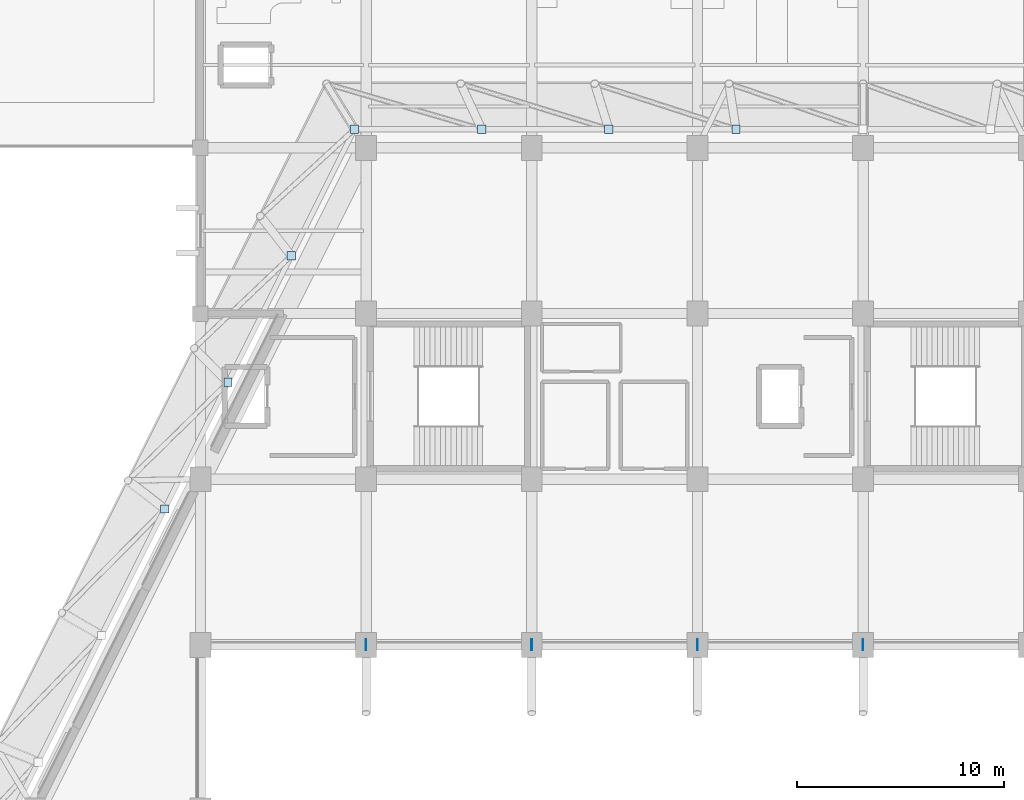
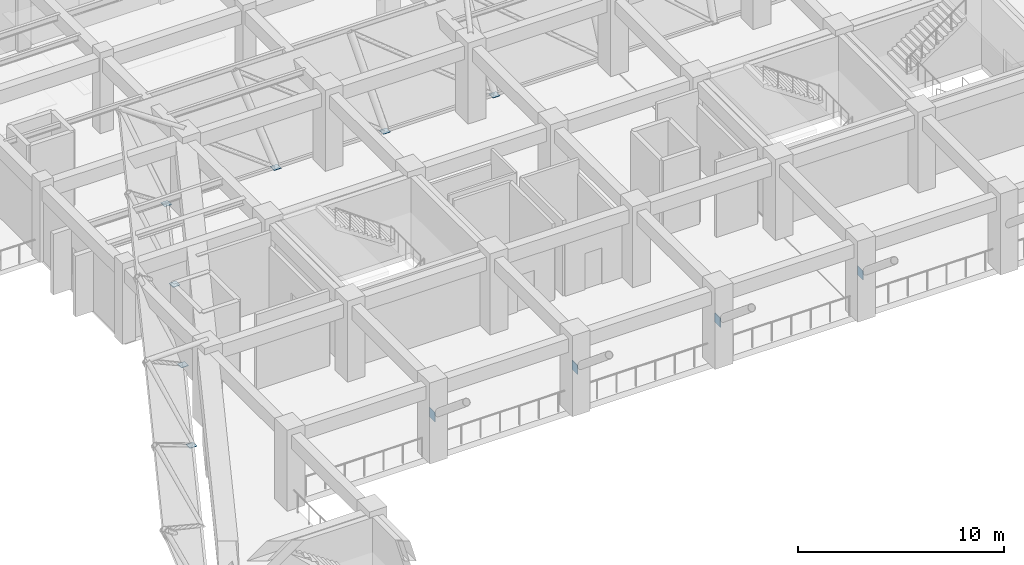
# One storey, part 25 of 46: 11 plates.
"""IFC4 building model written with IfcOpenShell, lengths in metres."""

import ifcopenshell
import ifcopenshell.guid

model = None  # the IFC model being written
_history = None  # IfcOwnerHistory: only IFC2X3 demands one
_inside = {}  # id of a spatial element -> (the spatial element, [elements in it])
_under = {}  # id of a project, library or spatial element -> (it, [spatial elements below it])
_declared = {}  # id of a project -> (the project, [libraries it declares])
_typed = {}  # id of a type object -> (the type object, [elements of that type])
_made_of = {}  # id of a material, layer set ... -> (it, [elements and type objects made of it])


def new_model(schema):
    """Start an empty IFC model of exactly this schema.

    Asked for "IFC4X3", IfcOpenShell would pick the latest addendum, in which some entities
    have other attributes; the version numbers below select the first issue.
    IFC2X3 requires an IfcOwnerHistory on every rooted entity: one is made here for all.
    """
    global model, _history
    if schema == "IFC4X3":
        model = ifcopenshell.file(schema_version=(4, 3, 0, 0))
    else:
        model = ifcopenshell.file(schema=schema)
    _inside.clear()
    _under.clear()
    _declared.clear()
    _typed.clear()
    _made_of.clear()
    _history = None
    if model.schema == "IFC2X3":
        org = make("IfcOrganization", Name="unknown")
        user = make(
            "IfcPersonAndOrganization",
            ThePerson=make("IfcPerson", FamilyName="unknown"),
            TheOrganization=org,
        )
        app = make(
            "IfcApplication",
            ApplicationDeveloper=org,
            Version="unknown",
            ApplicationFullName="unknown",
            ApplicationIdentifier="unknown",
        )
        _history = make(
            "IfcOwnerHistory",
            OwningUser=user,
            OwningApplication=app,
            ChangeAction="ADDED",
            CreationDate=0,
        )
    return model


def make(cls, **values):
    """One entity of the class cls with the attributes given. An attribute that is None is left unset."""
    return model.create_entity(
        cls, **{name: value for name, value in values.items() if value is not None}
    )


def rooted(cls, **values):
    """An entity with a GlobalId (a new one), such as an element, a storey or a relation."""
    return make(cls, GlobalId=ifcopenshell.guid.new(), OwnerHistory=_history, **values)


def si_unit(unit_type, name, prefix=None):
    """IfcSIUnit, for example si_unit("LENGTHUNIT", "METRE", prefix="MILLI")."""
    return make("IfcSIUnit", UnitType=unit_type, Prefix=prefix, Name=name)


def assignment(units):
    """IfcUnitAssignment: the units of a project."""
    return None if units is None else make("IfcUnitAssignment", Units=units)


def point(xyz):
    """IfcCartesianPoint."""
    return None if xyz is None else make("IfcCartesianPoint", Coordinates=xyz)


def direction(xyz):
    """IfcDirection."""
    return None if xyz is None else make("IfcDirection", DirectionRatios=xyz)


def frame(location, z_axis=None, x_axis=None):
    """IfcAxis2Placement3D, a coordinate frame: its origin and axes. An axis left out is left unset."""
    return make(
        "IfcAxis2Placement3D",
        Location=point(location),
        Axis=direction(z_axis),
        RefDirection=direction(x_axis),
    )


def frame_2d(location, x_axis=None):
    """IfcAxis2Placement2D, a coordinate frame in the plane: its origin and x axis."""
    return make(
        "IfcAxis2Placement2D", Location=point(location), RefDirection=direction(x_axis)
    )


def origin():
    """The frame at (0, 0, 0) with its axes left unset."""
    return frame((0.0, 0.0, 0.0))


def origin_2d():
    """The frame at (0, 0) in the plane with its x axis left unset."""
    return frame_2d((0.0, 0.0))


def place(relative_to, where):
    """IfcLocalPlacement: puts the frame where relative to a parent placement (None: the world)."""
    return make(
        "IfcLocalPlacement", PlacementRelTo=relative_to, RelativePlacement=where
    )


def context(
    kind, dimensions, precision=None, world=None, true_north=None, identifier=None
):
    """IfcGeometricRepresentationContext, for example the 3D "Model" context."""
    return make(
        "IfcGeometricRepresentationContext",
        ContextIdentifier=identifier,
        ContextType=kind,
        CoordinateSpaceDimension=dimensions,
        Precision=precision,
        WorldCoordinateSystem=world,
        TrueNorth=true_north,
    )


def subcontext(parent, identifier, kind, view, scale=None):
    """IfcGeometricRepresentationSubContext, for example "Body" below "Model"."""
    return make(
        "IfcGeometricRepresentationSubContext",
        ContextIdentifier=identifier,
        ContextType=kind,
        ParentContext=parent,
        TargetScale=scale,
        TargetView=view,
    )


def project(units=None, contexts=None):
    """IfcProject with its units and contexts."""
    return rooted(
        "IfcProject",
        Name="project",
        RepresentationContexts=contexts,
        UnitsInContext=assignment(units),
    )


def spatial(cls, under=None, at=None, **own):
    """A site, building, storey or space (cls), placed at a placement, below another one or the project."""
    s = rooted(cls, ObjectPlacement=at, **own)
    if under is not None:
        _under.setdefault(under.id(), (under, []))[1].append(s)
    return s


def profile(cls, at=None, kind="AREA", **sizes):
    """A parametric profile (cls). Its sizes go by their IFC names, for example OverallWidth=200.0."""
    return make(cls, ProfileType=kind, Position=at, **sizes)


def rectangle(**sizes):
    """IfcRectangleProfileDef."""
    return profile("IfcRectangleProfileDef", **sizes)


def extrude(swept, where, along, depth):
    """IfcExtrudedAreaSolid: the profile swept, set in the frame where, extruded along a direction by depth."""
    return make(
        "IfcExtrudedAreaSolid",
        SweptArea=swept,
        Position=where,
        ExtrudedDirection=direction(along),
        Depth=depth,
    )


def shape(context_of_items, identifier, shape_type, items):
    """IfcShapeRepresentation: the items that make up one representation, for example the "Body"."""
    return make(
        "IfcShapeRepresentation",
        ContextOfItems=context_of_items,
        RepresentationIdentifier=identifier,
        RepresentationType=shape_type,
        Items=items,
    )


def material(Name=None, Category=None):
    """IfcMaterial."""
    return make("IfcMaterial", Name=Name, Category=Category)


def layer(
    of_material, thickness, ventilated=None, Name=None, Category=None, Priority=None
):
    """IfcMaterialLayer: one layer of a wall or slab, of a material (None: an air gap)."""
    return make(
        "IfcMaterialLayer",
        Material=of_material,
        LayerThickness=thickness,
        IsVentilated=ventilated,
        Name=Name,
        Category=Category,
        Priority=Priority,
    )


def layer_set(layers, Name=None):
    """IfcMaterialLayerSet."""
    return make("IfcMaterialLayerSet", MaterialLayers=layers, LayerSetName=Name)


def made_of(thing, what):
    """Note that an element or type object is made of a material, layer set ...; save() writes the relation."""
    if what is not None:
        _made_of.setdefault(what.id(), (what, []))[1].append(thing)
    return thing


def type_object(cls, material=None, **own):
    """A type object (cls), such as IfcWallType, which elements share."""
    return made_of(rooted(cls, **own), material)


def element(
    cls,
    number,
    at=None,
    inside=None,
    cuts=None,
    type_object=None,
    material=None,
    context=None,
    identifier="Body",
    shape_type=None,
    held_by="IfcProductDefinitionShape",
    body=None,
    shapes=None,
    **own,
):
    """One element of the class cls, such as IfcWall. Its Tag is "e" and its number.

    at: its placement. inside: the storey or other place that contains it. cuts: it is an
    opening in that element (IfcRelVoidsElement). A single representation is given by context,
    identifier, shape_type and body (its items); several are given by shapes. held_by: the class
    of the entity that holds the representations. save() writes the other relations.
    """
    e = rooted(cls, Tag="e%d" % number, ObjectPlacement=at, **own)
    if body is not None:
        shapes = [shape(context, identifier, shape_type, body)]
    if shapes is not None:
        e.Representation = make(held_by, Representations=shapes)
    if inside is not None:
        _inside.setdefault(inside.id(), (inside, []))[1].append(e)
    if cuts is not None:
        rooted(
            "IfcRelVoidsElement", RelatingBuildingElement=cuts, RelatedOpeningElement=e
        )
    if type_object is not None:
        _typed.setdefault(type_object.id(), (type_object, []))[1].append(e)
    return made_of(e, material)


def aggregate(whole, parts):
    """IfcRelAggregates: a whole, such as a stair, and the parts it consists of."""
    return rooted("IfcRelAggregates", RelatingObject=whole, RelatedObjects=parts)


def save(model, path):
    """Write the relations noted so far, then the file.

    IfcRelAggregates (storeys below a building ...), IfcRelContainedInSpatialStructure (elements
    in a storey), IfcRelDefinesByType, IfcRelAssociatesMaterial and IfcRelDeclares: one each for
    every whole, place, type object, material and project.
    """
    for whole, parts in _under.values():
        aggregate(whole, parts)
    for where, things in _inside.values():
        rooted(
            "IfcRelContainedInSpatialStructure",
            RelatedElements=things,
            RelatingStructure=where,
        )
    for kind, things in _typed.values():
        rooted("IfcRelDefinesByType", RelatedObjects=things, RelatingType=kind)
    for what, things in _made_of.values():
        rooted("IfcRelAssociatesMaterial", RelatedObjects=things, RelatingMaterial=what)
    for by, libraries in _declared.values():
        rooted("IfcRelDeclares", RelatingContext=by, RelatedDefinitions=libraries)
    model.write(path)


model = new_model("IFC4")

# Units and contexts
model_context = context("Model", 3, precision=1e-05, world=origin(), true_north=direction((0.0, 1.0)))
body_context = subcontext(model_context, "Body", "Model", "MODEL_VIEW")
ifc_project = project(units=[si_unit("LENGTHUNIT", "METRE"), si_unit("AREAUNIT", "SQUARE_METRE"), si_unit("VOLUMEUNIT", "CUBIC_METRE"), si_unit("PLANEANGLEUNIT", "RADIAN"), si_unit("MASSUNIT", "GRAM", prefix="KILO")], contexts=[model_context])

# Site, building, storey
site_placement = place(None, origin())
site = spatial("IfcSite", under=ifc_project, at=site_placement, CompositionType="ELEMENT")
building_placement = place(site_placement, origin())
building = spatial("IfcBuilding", under=site, at=building_placement, Name="Tazarka Park Arena", CompositionType="ELEMENT")
storey_placement = place(building_placement, frame((0.0, 0.0, 10.199951171875)))
storey = spatial("IfcBuildingStorey", under=building, at=storey_placement, Name="L02", CompositionType="ELEMENT", Elevation=10.199951171875)

# Plates
ifc_material_1 = material(Name="Steel S460", Category="steel")
ifc_layer_1 = layer(ifc_material_1, 0.031982421875, Name="Steel S460")
ifc_layer_set_1 = layer_set([ifc_layer_1], Name="Steel S460")
plate_type_1 = type_object("IfcPlateType", Name="PLT-PL-12", PredefinedType="USERDEFINED", material=ifc_layer_set_1)
for number, where, z_axis, x_axis, name in (
    (1, (64.0, 88.0, 2.130126953125), (0.0, 0.0, 1.0), (1.0, 0.0, 0.0), "RKP-N-08-1"),
    (2, (72.0, 88.0, 2.130126953125), (0.0, 0.0, 1.0), (1.0, 0.0, 0.0), "RKP-N-09-1"),
    (3, (80.0, 88.0, 2.130126953125), (0.0, 0.0, 1.0), (1.0, 0.0, 0.0), "RKP-N-10-1"),
    (4, (88.0, 88.0, 2.130126953125), (0.0, 0.0, 1.0), (1.0, 0.0, 0.0), "RKP-N-11-1"),
):
    element("IfcPlate", number, at=place(storey_placement, frame(where, z_axis=z_axis, x_axis=x_axis)), inside=storey, type_object=plate_type_1, Name=name, ObjectType="STIFFENER", PredefinedType="USERDEFINED", context=body_context, shape_type="SweptSolid", body=[
        extrude(rectangle(XDim=0.031982421875, YDim=0.5400390625, at=origin_2d()), origin(), (0.0, 0.0, 1.0), 0.5400390625),
    ])
ifc_material_2 = material(Name="Steel S460", Category="steel")
ifc_layer_2 = layer(ifc_material_2, 0.02587890625, Name="Steel S460")
ifc_layer_set_2 = layer_set([ifc_layer_2], Name="Steel S460")
plate_type_2 = type_object("IfcPlateType", Name="PLT-PL-14", PredefinedType="USERDEFINED", material=ifc_layer_set_2)
for number, where, z_axis, x_axis, name in (
    (5, (81.861083984375, 112.89990234375, -0.012939453125), (0.0, 0.0, 1.0), (1.0, 0.0, 0.0), "GMP-B-29"),
    (6, (75.721923828125, 112.89990234375, -0.012939453125), (0.0, 0.0, 1.0), (1.0, 0.0, 0.0), "GMP-B-30"),
    (7, (69.5830078125, 112.89990234375, -0.012939453125), (0.0, 0.0, 1.0), (1.0, 0.0, 0.0), "GMP-B-31"),
    (8, (63.44384765625, 112.89990234375, -0.012939453125), (0.0, 0.0, 1.0), (1.0, 0.0, 0.0), "GMP-B-32"),
    (9, (60.3876953125, 106.78759765625, -0.012939453125), (0.0, 0.0, 1.0), (1.0, 0.0, 0.0), "GMP-B-33"),
    (10, (57.331298828125, 100.675048828125, -0.012939453125), (0.0, 0.0, 1.0), (1.0, 0.0, 0.0), "GMP-B-34"),
    (11, (54.275146484375, 94.5625, -0.012939453125), (0.0, 0.0, 1.0), (1.0, 0.0, 0.0), "GMP-B-35"),
):
    element("IfcPlate", number, at=place(storey_placement, frame(where, z_axis=z_axis, x_axis=x_axis)), inside=storey, type_object=plate_type_2, Name=name, ObjectType="STIFFENER", PredefinedType="USERDEFINED", context=body_context, shape_type="SweptSolid", body=[
        extrude(rectangle(XDim=0.39990234375, YDim=0.39990234375, at=origin_2d()), origin(), (0.0, 0.0, 1.0), 0.02587890625),
    ])

save(model, "model.ifc")
